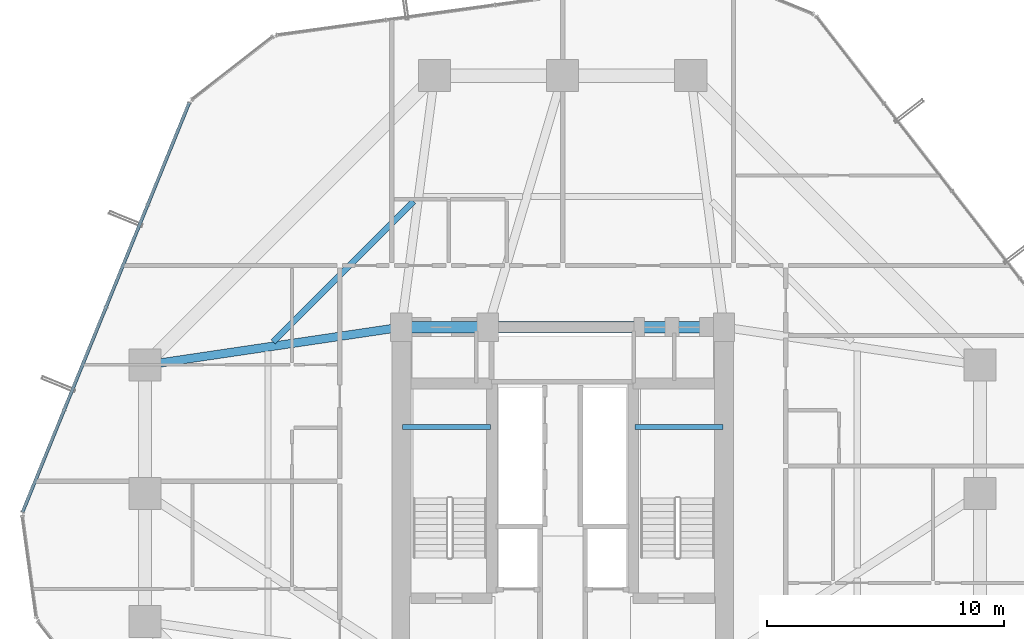
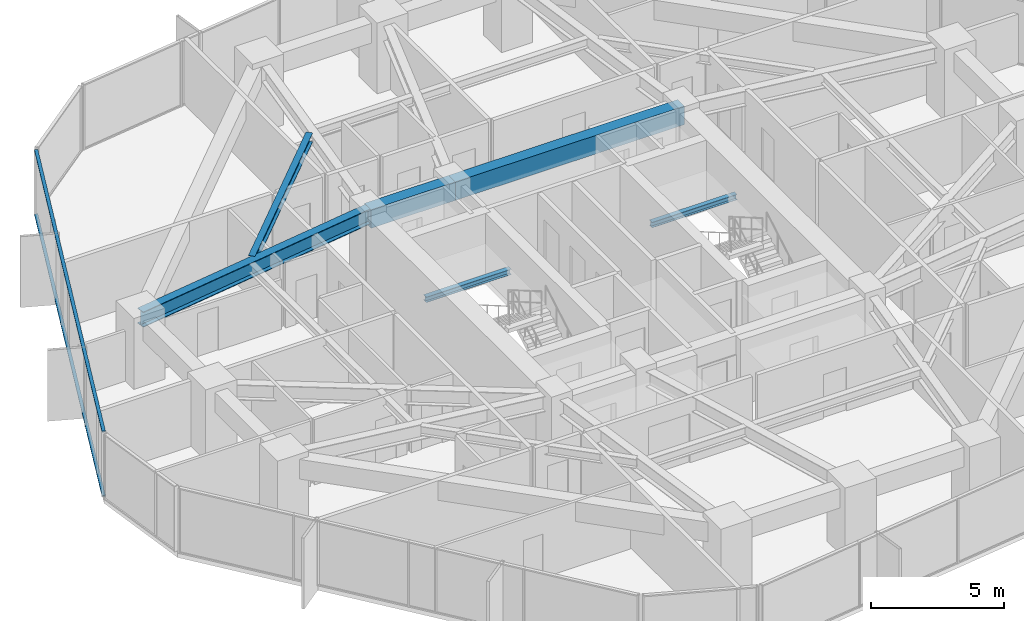
# One storey, part 13 of 37: 6 beams, 2 members, 1 element without a shape of its own.
"""IFC4 building model written with IfcOpenShell, lengths in metres."""

from ifc_helpers import new_model, si_unit, direction, frame, origin, origin_2d, place, context, subcontext, project, spatial, rectangle, hollow_rectangle, i_section, extrude, source, transform, mapped, material, layer, layer_set, material_profile, profile_set, type_object, element, aggregate, save


model = new_model("IFC4")

# Units and contexts
model_context = context("Model", 3, precision=1e-05, world=origin(), true_north=direction((0.0, 1.0)))
body_context = subcontext(model_context, "Body", "Model", "MODEL_VIEW")
ifc_project = project(units=[si_unit("LENGTHUNIT", "METRE"), si_unit("AREAUNIT", "SQUARE_METRE"), si_unit("VOLUMEUNIT", "CUBIC_METRE"), si_unit("PLANEANGLEUNIT", "RADIAN"), si_unit("MASSUNIT", "GRAM", prefix="KILO")], contexts=[model_context])

# Site, building, storey
site_placement = place(None, origin())
site = spatial("IfcSite", under=ifc_project, at=site_placement, CompositionType="ELEMENT")
building_placement = place(site_placement, origin())
building = spatial("IfcBuilding", under=site, at=building_placement, Name="Veraguas Prism Commons", CompositionType="ELEMENT")
storey_placement = place(building_placement, frame((0.0, 0.0, 50.050048828125)))
storey = spatial("IfcBuildingStorey", under=building, at=storey_placement, Name="L13", CompositionType="ELEMENT", Elevation=50.050048828125)

# Beams
ifc_material_1 = material(Name="Concrete C50/60", Category="concrete")
ifc_material_profile_1 = material_profile(ifc_material_1, rectangle(XDim=0.5, YDim=0.85009765625, at=origin_2d()), Name="RC500X850")
ifc_profile_set_1 = profile_set([ifc_material_profile_1], Name="Concrete C50/60")
beam_type_1 = type_object("IfcBeamType", Name="Core Coupling Beam RC 500x850", PredefinedType="BEAM", material=ifc_profile_set_1)
beam_1_placement = place(storey_placement, frame((17.199951171875, 31.0, 2.574951171875), z_axis=(1.0, 0.0, 0.0), x_axis=(0.0, 1.0, 0.0)))
element("IfcBeam", 1, at=beam_1_placement, inside=storey, type_object=beam_type_1, Name="Core Coupling Beam L13-CRN1", PredefinedType="BEAM", context=body_context, shape_type="SweptSolid", body=[
    extrude(rectangle(XDim=0.5, YDim=0.85009765625, at=origin_2d()), origin(), (0.0, 0.0, 1.0), 3.650146484375),
])
beam_2_placement = place(storey_placement, frame((20.85009765625, 31.0, 2.574951171875), z_axis=(1.0, 0.0, 0.0), x_axis=(0.0, 1.0, 0.0)))
element("IfcBeam", 2, at=beam_2_placement, inside=storey, type_object=beam_type_1, Name="Core Coupling Beam L13-CRN2", PredefinedType="BEAM", context=body_context, shape_type="SweptSolid", body=[
    extrude(rectangle(XDim=0.5, YDim=0.85009765625, at=origin_2d()), origin(), (0.0, 0.0, 1.0), 9.949951171875),
])
ifc_material_2 = material(Name="Steel ASTM A992 Grade 50", Category="steel")
ifc_material_profile_2 = material_profile(ifc_material_2, i_section(OverallWidth=0.260986328125, OverallDepth=0.419921875, WebThickness=0.01171875, FlangeThickness=0.019287109375, at=origin_2d()), Name="W410X114")
ifc_profile_set_2 = profile_set([ifc_material_profile_2], Name="Steel ASTM A992 Grade 50")
beam_type_2 = type_object("IfcBeamType", Name="Lower Floor Joist W410x114", PredefinedType="JOIST", material=ifc_profile_set_2)
beam_3_placement = place(storey_placement, frame((17.723388671875, 36.3076171875, 2.7900390625), z_axis=(-0.707092226423, -0.70712133565, 0.0), x_axis=(0.70712133565, -0.707092226423, 0.0)))
element("IfcBeam", 3, at=beam_3_placement, inside=storey, type_object=beam_type_2, Name="Composite Floor Joist L13-JS06", PredefinedType="JOIST", context=body_context, shape_type="SweptSolid", body=[
    extrude(i_section(OverallWidth=0.260986328125, OverallDepth=0.419921875, WebThickness=0.01171875, FlangeThickness=0.019287109375, at=origin_2d()), origin(), (0.0, 0.0, 1.0), 8.386962890625),
])
ifc_material_profile_3 = material_profile(ifc_material_2, i_section(OverallWidth=0.202880859375, OverallDepth=0.251953125, WebThickness=0.008056640625, FlangeThickness=0.013427734375, at=origin_2d()), Name="W250X58")
ifc_profile_set_3 = profile_set([ifc_material_profile_3], Name="Steel ASTM A992 Grade 50")
beam_type_3 = type_object("IfcBeamType", Name="Structural Opening Lintel W250x58", PredefinedType="LINTEL", material=ifc_profile_set_3)
for number, where, z_axis, x_axis, name in (
    (4, (17.25, 26.800048828125, 1.299072265625), (1.0, 0.0, 0.0), (0.0, 1.0, 0.0), "Stair ST-01 Half-Landing Support Beam L13-1"),
    (5, (27.050048828125, 26.800048828125, 1.299072265625), (1.0, 0.0, 0.0), (0.0, 1.0, 0.0), "Stair ST-02 Half-Landing Support Beam L13-1"),
):
    element("IfcBeam", number, at=place(storey_placement, frame(where, z_axis=z_axis, x_axis=x_axis)), inside=storey, type_object=beam_type_3, Name=name, PredefinedType="LINTEL", context=body_context, shape_type="SweptSolid", body=[
        extrude(i_section(OverallWidth=0.202880859375, OverallDepth=0.251953125, WebThickness=0.008056640625, FlangeThickness=0.013427734375, at=origin_2d()), origin(), (0.0, 0.0, 1.0), 3.699951171875),
    ])
ifc_material_profile_4 = material_profile(ifc_material_2, i_section(OverallWidth=0.35595703125, OverallDepth=0.700927734375, WebThickness=0.016845703125, FlangeThickness=0.02734375, at=origin_2d()), Name="W690X240")
ifc_profile_set_4 = profile_set([ifc_material_profile_4], Name="Steel ASTM A992 Grade 50")
beam_type_4 = type_object("IfcBeamType", Name="Zone 1 Radial Girder W690x240", PredefinedType="BEAM", material=ifc_profile_set_4)
beam_4_placement = place(storey_placement, frame((6.39990234375, 29.39990234375, 2.6494140625), z_axis=(0.989202261707, 0.146556765224, 0.0), x_axis=(-0.146556765224, 0.989202261707, 0.0)))
element("IfcBeam", 6, at=beam_4_placement, inside=storey, type_object=beam_type_4, Name="Radial Floor Girder L13-RD07", PredefinedType="BEAM", context=body_context, shape_type="SweptSolid", body=[
    extrude(i_section(OverallWidth=0.35595703125, OverallDepth=0.700927734375, WebThickness=0.016845703125, FlangeThickness=0.02734375, at=origin_2d()), origin(), (0.0, 0.0, 1.0), 10.91796875),
])

# Curtain wall, members
ifc_material_3 = material(Name="Anodised aluminium EN AW-6063 T6", Category="aluminium")
ifc_layer = layer(ifc_material_3, 0.169921875, Name="Unitised Flush Curtain Wall Zone 1", Category="aluminium")
ifc_layer_set = layer_set([ifc_layer], Name="Anodised aluminium EN AW-6063 T6")
curtain_wall_type = type_object("IfcCurtainWallType", Name="Unitised Flush Curtain Wall Zone 1", PredefinedType="NOTDEFINED", material=ifc_layer_set)
curtain_wall_placement = place(storey_placement, origin())
curtain_wall = element("IfcCurtainWall", 7, at=curtain_wall_placement, inside=storey, type_object=curtain_wall_type, Name="Tower Facade Curtain Wall L13-F3", PredefinedType="NOTDEFINED")
ifc_material_profile_5 = material_profile(ifc_material_3, hollow_rectangle(XDim=0.054931640625, YDim=0.135009765625, WallThickness=0.0029296875, at=origin_2d()), Name="AL55X135X3")
ifc_profile_set_5 = profile_set([ifc_material_profile_5], Name="Anodised aluminium EN AW-6063 T6")
member_type = type_object("IfcMemberType", Name="Curtain Wall Transom Standard AL 55x135x3", PredefinedType="USERDEFINED", material=ifc_profile_set_5)
shared_shape = source(origin(), body_context, "Body", "SweptSolid", [
    extrude(hollow_rectangle(XDim=0.054931640625, YDim=0.135009765625, WallThickness=0.0029296875, at=origin_2d()), origin(), (0.0, 0.0, 1.0), 18.623779296875),
])
member_1_placement = place(storey_placement, frame((8.26318359375, 40.4638671875, 0.02734375), z_axis=(-0.377201111787, -0.926131373654, 0.0), x_axis=(0.0, 0.0, 1.0)))
member_1 = element("IfcMember", 8, at=member_1_placement, type_object=member_type, Name="CW-Z1 Transom 1", ObjectType="TRANSOM", PredefinedType="USERDEFINED", context=body_context, shape_type="MappedRepresentation", body=[
    mapped(shared_shape, transform((0.0, 0.0, 0.0), scale=1.0)),
])
member_2_placement = place(storey_placement, frame((8.26318359375, 40.4638671875, 2.972412109375), z_axis=(-0.377201111787, -0.926131373654, 0.0), x_axis=(0.0, 0.0, 1.0)))
member_2 = element("IfcMember", 9, at=member_2_placement, type_object=member_type, Name="CW-Z1 Transom 2", ObjectType="TRANSOM", PredefinedType="USERDEFINED", context=body_context, shape_type="MappedRepresentation", body=[
    mapped(shared_shape, transform((0.0, 0.0, 0.0), scale=1.0)),
])
aggregate(curtain_wall, [member_1, member_2])

save(model, "model.ifc")
